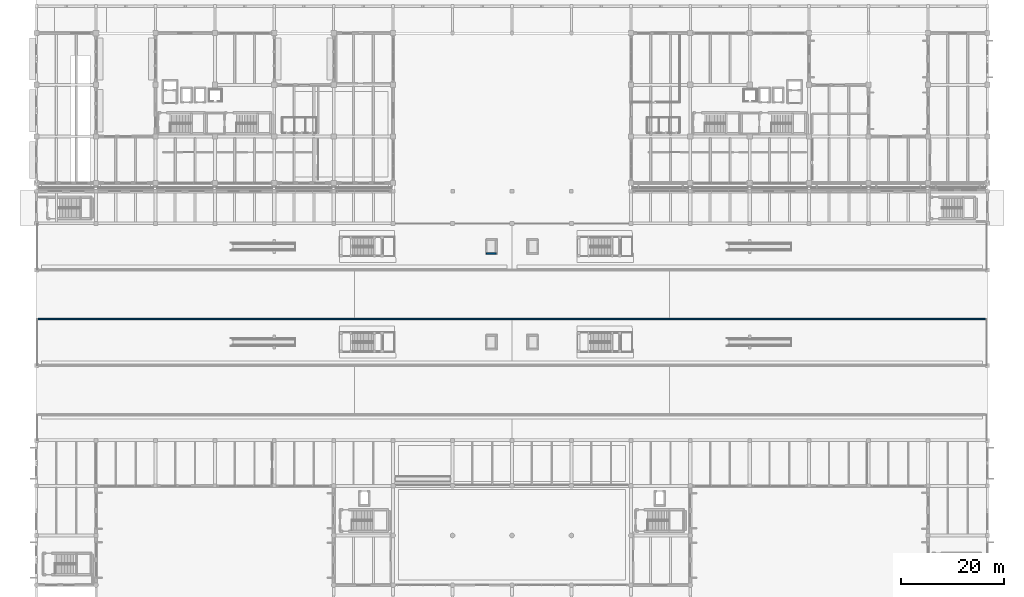
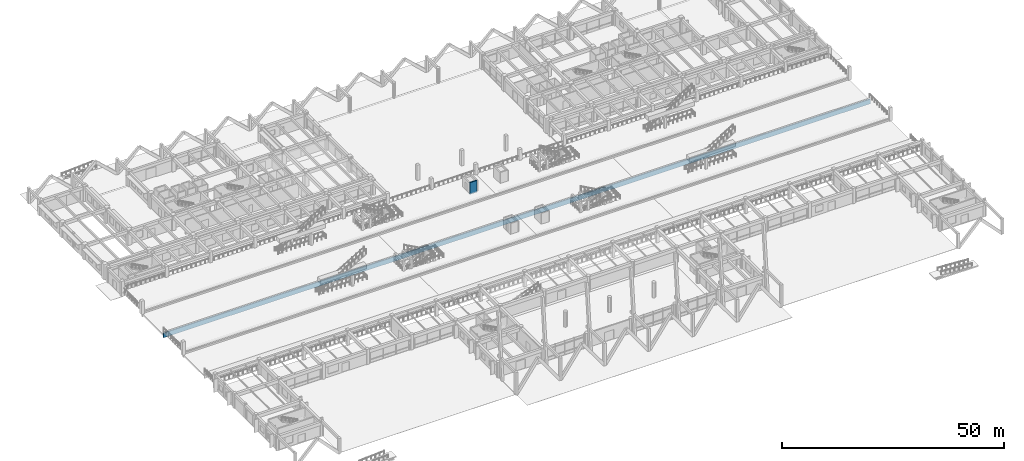
# One storey, part 85 of 109: 2 walls.
"""IFC4 building model written with IfcOpenShell, lengths in metres."""

from ifc_helpers import new_model, si_unit, direction, frame, frame_2d, origin, place, context, subcontext, project, spatial, rectangle, extrude, material, layer, layer_set, type_object, element, save


model = new_model("IFC4")

# Units and contexts
model_context = context("Model", 3, precision=1e-05, world=origin(), true_north=direction((0.0, 1.0)))
body_context = subcontext(model_context, "Body", "Model", "MODEL_VIEW")
ifc_project = project(units=[si_unit("LENGTHUNIT", "METRE"), si_unit("AREAUNIT", "SQUARE_METRE"), si_unit("VOLUMEUNIT", "CUBIC_METRE"), si_unit("PLANEANGLEUNIT", "RADIAN"), si_unit("MASSUNIT", "GRAM", prefix="KILO")], contexts=[model_context])

# Site, building, storey
site_placement = place(None, origin())
site = spatial("IfcSite", under=ifc_project, at=site_placement, CompositionType="ELEMENT")
building_placement = place(site_placement, origin())
building = spatial("IfcBuilding", under=site, at=building_placement, Name="Ologun Quay Terminus", CompositionType="ELEMENT")
storey_placement = place(building_placement, origin())
storey = spatial("IfcBuildingStorey", under=building, at=storey_placement, Name="L00", CompositionType="ELEMENT", Elevation=0.0)

# Walls
ifc_material = material(Name="Concrete C40/50", Category="concrete")
ifc_layer = layer(ifc_material, 0.300048828125)
ifc_layer_set = layer_set([ifc_layer], Name="Concrete C40/50")
wall_type = type_object("IfcWallType", Name="Lift Shaft Structural Shear Wall 300", PredefinedType="SHEAR", material=ifc_layer_set)
wall_1_placement = place(storey_placement, frame((87.050048828125, 72.14990234375, 0.949951171875), z_axis=(0.0, 0.0, 1.0), x_axis=(1.0, 0.0, 0.0)))
element("IfcWall", 1, at=wall_1_placement, inside=storey, type_object=wall_type, Name="Lift PL-P3 Shaft Wall S L00", PredefinedType="SHEAR", context=body_context, shape_type="SweptSolid", body=[
    extrude(rectangle(XDim=1.89990234375, YDim=0.300048828125, at=frame_2d((0.949951171875, 0.0))), origin(), (0.0, 0.0, 1.0), 3.25),
])
wall_2_placement = place(storey_placement, frame((0.0, 59.5, -0.320068359375), z_axis=(0.0, 0.0, 1.0), x_axis=(1.0, 0.0, 0.0)))
element("IfcWall", 2, at=wall_2_placement, inside=storey, type_object=wall_type, Name="Platform Retaining Edge Wall Platform 1 Y59.5", PredefinedType="SHEAR", context=body_context, shape_type="SweptSolid", body=[
    extrude(rectangle(XDim=184.0, YDim=0.300048828125, at=frame_2d((92.0, 0.0))), origin(), (0.0, 0.0, 1.0), 1.27001953125),
])

save(model, "model.ifc")
